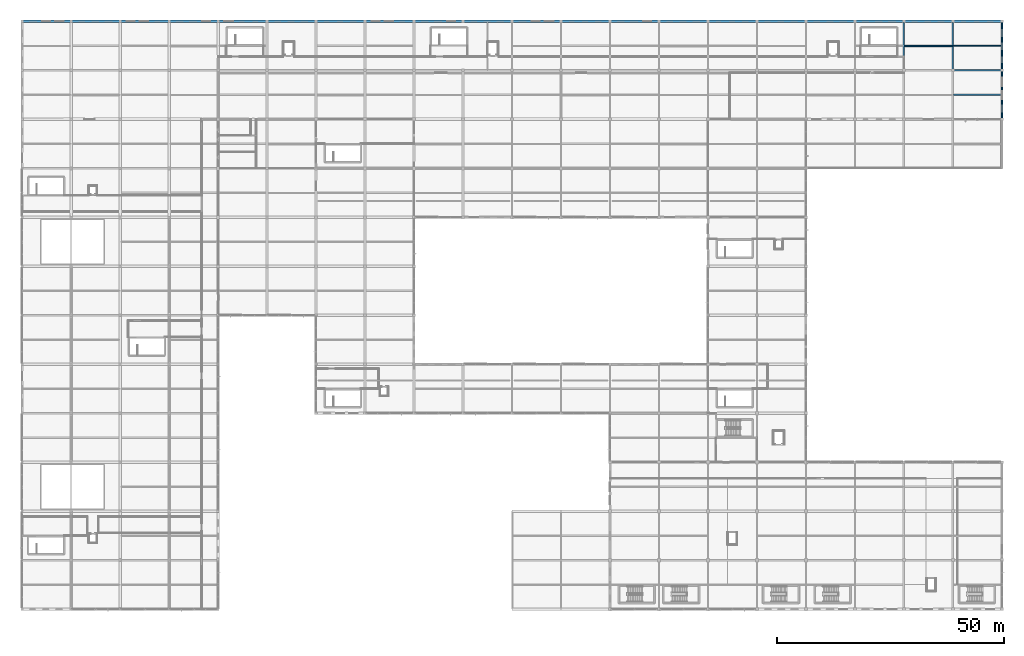
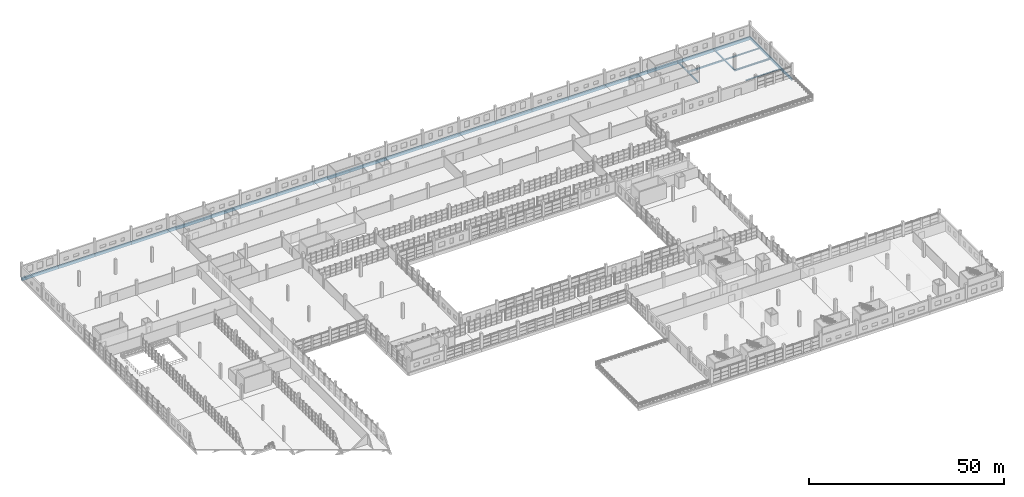
# One storey, part 79 of 142: 28 beams.
"""IFC4 building model written with IfcOpenShell, lengths in metres."""

from ifc_helpers import new_model, si_unit, direction, frame, origin, origin_2d, place, context, subcontext, project, spatial, rectangle, i_section, extrude, material, material_profile, profile_set, type_object, element, save


model = new_model("IFC4")

# Units and contexts
model_context = context("Model", 3, precision=1e-05, world=origin(), true_north=direction((0.0, 1.0)))
body_context = subcontext(model_context, "Body", "Model", "MODEL_VIEW")
ifc_project = project(units=[si_unit("LENGTHUNIT", "METRE"), si_unit("AREAUNIT", "SQUARE_METRE"), si_unit("VOLUMEUNIT", "CUBIC_METRE"), si_unit("PLANEANGLEUNIT", "RADIAN"), si_unit("MASSUNIT", "GRAM", prefix="KILO")], contexts=[model_context])

# Site, building, storey
site_placement = place(None, origin())
site = spatial("IfcSite", under=ifc_project, at=site_placement, CompositionType="ELEMENT")
building_placement = place(site_placement, origin())
building = spatial("IfcBuilding", under=site, at=building_placement, Name="Zwinboog Wholesale Market", CompositionType="ELEMENT")
storey_placement = place(building_placement, frame((0.0, 0.0, 5.39990234375)))
storey = spatial("IfcBuildingStorey", under=building, at=storey_placement, Name="L01", CompositionType="ELEMENT", Elevation=5.39990234375)

# Beams
ifc_material_1 = material(Name="Precast concrete C45/55", Category="concrete")
ifc_material_profile_1 = material_profile(ifc_material_1, rectangle(XDim=0.5, YDim=0.85009765625, at=origin_2d()), Name="PC 500x850")
ifc_profile_set_1 = profile_set([ifc_material_profile_1], Name="Precast concrete C45/55")
beam_type_1 = type_object("IfcBeamType", Name="BT-03", PredefinedType="BEAM", material=ifc_profile_set_1)
for number, where, z_axis, x_axis, name in (
    (1, (0.0, 129.60009765625, -0.679931640625), (1.0, 0.0, 0.0), (0.0, 1.0, 0.0), "BG-03 (BMG-L01-0000-1296-0581)"),
    (2, (10.800048828125, 129.60009765625, -0.679931640625), (1.0, 0.0, 0.0), (0.0, 1.0, 0.0), "BG-03 (BMG-L01-0108-1296-0582)"),
):
    element("IfcBeam", number, at=place(storey_placement, frame(where, z_axis=z_axis, x_axis=x_axis)), inside=storey, type_object=beam_type_1, Name=name, PredefinedType="BEAM", context=body_context, shape_type="SweptSolid", body=[
        extrude(rectangle(XDim=0.5, YDim=0.85009765625, at=origin_2d()), origin(), (0.0, 0.0, 1.0), 10.800048828125),
    ])
beam_1_placement = place(storey_placement, frame((21.60009765625, 129.60009765625, -0.679931640625), z_axis=(1.0, 0.0, 0.0), x_axis=(0.0, 1.0, 0.0)))
element("IfcBeam", 3, at=beam_1_placement, inside=storey, type_object=beam_type_1, Name="BG-03 (BMG-L01-0216-1296-0583)", PredefinedType="BEAM", context=body_context, shape_type="SweptSolid", body=[
    extrude(rectangle(XDim=0.5, YDim=0.85009765625, at=origin_2d()), origin(), (0.0, 0.0, 1.0), 10.7998046875),
])
for number, where, z_axis, x_axis, name in (
    (4, (32.39990234375, 129.60009765625, -0.704833984375), (1.0, 0.0, 0.0), (0.0, 1.0, 0.0), "BG-03 (BMG-L01-0324-1296-0584)"),
    (5, (43.199951171875, 129.60009765625, -0.704833984375), (1.0, 0.0, 0.0), (0.0, 1.0, 0.0), "BG-03 (BMG-L01-0432-1296-0585)"),
    (6, (54.0, 129.60009765625, -0.704833984375), (1.0, 0.0, 0.0), (0.0, 1.0, 0.0), "BG-03 (BMG-L01-0540-1296-0586)"),
    (7, (64.800048828125, 129.60009765625, -0.704833984375), (1.0, 0.0, 0.0), (0.0, 1.0, 0.0), "BG-03 (BMG-L01-0648-1296-0587)"),
):
    element("IfcBeam", number, at=place(storey_placement, frame(where, z_axis=z_axis, x_axis=x_axis)), inside=storey, type_object=beam_type_1, Name=name, PredefinedType="BEAM", context=body_context, shape_type="SweptSolid", body=[
        extrude(rectangle(XDim=0.5, YDim=0.85009765625, at=origin_2d()), origin(), (0.0, 0.0, 1.0), 10.800048828125),
    ])
beam_2_placement = place(storey_placement, frame((75.60009765625, 129.60009765625, -0.72998046875), z_axis=(1.0, 0.0, 0.0), x_axis=(0.0, 1.0, 0.0)))
element("IfcBeam", 8, at=beam_2_placement, inside=storey, type_object=beam_type_1, Name="BG-03 (BMG-L01-0756-1296-0588)", PredefinedType="BEAM", context=body_context, shape_type="SweptSolid", body=[
    extrude(rectangle(XDim=0.5, YDim=0.85009765625, at=origin_2d()), origin(), (0.0, 0.0, 1.0), 10.7998046875),
])
for number, where, z_axis, x_axis, name in (
    (9, (86.39990234375, 129.60009765625, -0.72998046875), (1.0, 0.0, 0.0), (0.0, 1.0, 0.0), "BG-03 (BMG-L01-0864-1296-0589)"),
    (10, (97.199951171875, 129.60009765625, -0.72998046875), (1.0, 0.0, 0.0), (0.0, 1.0, 0.0), "BG-03 (BMG-L01-0972-1296-0590)"),
    (11, (108.0, 129.60009765625, -0.72998046875), (1.0, 0.0, 0.0), (0.0, 1.0, 0.0), "BG-03 (BMG-L01-1080-1296-0591)"),
    (12, (118.800048828125, 129.60009765625, -0.7568359375), (1.0, 0.0, 0.0), (0.0, 1.0, 0.0), "BG-03 (BMG-L01-1188-1296-0592)"),
):
    element("IfcBeam", number, at=place(storey_placement, frame(where, z_axis=z_axis, x_axis=x_axis)), inside=storey, type_object=beam_type_1, Name=name, PredefinedType="BEAM", context=body_context, shape_type="SweptSolid", body=[
        extrude(rectangle(XDim=0.5, YDim=0.85009765625, at=origin_2d()), origin(), (0.0, 0.0, 1.0), 10.800048828125),
    ])
beam_3_placement = place(storey_placement, frame((129.60009765625, 129.60009765625, -0.7568359375), z_axis=(1.0, 0.0, 0.0), x_axis=(0.0, 1.0, 0.0)))
element("IfcBeam", 13, at=beam_3_placement, inside=storey, type_object=beam_type_1, Name="BG-03 (BMG-L01-1296-1296-0593)", PredefinedType="BEAM", context=body_context, shape_type="SweptSolid", body=[
    extrude(rectangle(XDim=0.5, YDim=0.85009765625, at=origin_2d()), origin(), (0.0, 0.0, 1.0), 10.7998046875),
])
for number, where, z_axis, x_axis, name in (
    (14, (140.39990234375, 129.60009765625, -0.7568359375), (1.0, 0.0, 0.0), (0.0, 1.0, 0.0), "BG-03 (BMG-L01-1404-1296-0594)"),
    (15, (151.199951171875, 129.60009765625, -0.7568359375), (1.0, 0.0, 0.0), (0.0, 1.0, 0.0), "BG-03 (BMG-L01-1512-1296-0595)"),
    (16, (162.0, 129.60009765625, -0.7568359375), (1.0, 0.0, 0.0), (0.0, 1.0, 0.0), "BG-03 (BMG-L01-1620-1296-0596)"),
    (17, (172.800048828125, 129.60009765625, -0.7568359375), (1.0, 0.0, 0.0), (0.0, 1.0, 0.0), "BG-03 (BMG-L01-1728-1296-0597)"),
):
    element("IfcBeam", number, at=place(storey_placement, frame(where, z_axis=z_axis, x_axis=x_axis)), inside=storey, type_object=beam_type_1, Name=name, PredefinedType="BEAM", context=body_context, shape_type="SweptSolid", body=[
        extrude(rectangle(XDim=0.5, YDim=0.85009765625, at=origin_2d()), origin(), (0.0, 0.0, 1.0), 10.800048828125),
    ])
beam_4_placement = place(storey_placement, frame((183.60009765625, 129.60009765625, -0.679931640625), z_axis=(1.0, 0.0, 0.0), x_axis=(0.0, 1.0, 0.0)))
element("IfcBeam", 18, at=beam_4_placement, inside=storey, type_object=beam_type_1, Name="BG-03 (BMG-L01-1836-1296-0598)", PredefinedType="BEAM", context=body_context, shape_type="SweptSolid", body=[
    extrude(rectangle(XDim=0.5, YDim=0.85009765625, at=origin_2d()), origin(), (0.0, 0.0, 1.0), 10.7998046875),
])
for number, where, z_axis, x_axis, name in (
    (19, (194.39990234375, 129.60009765625, -0.679931640625), (1.0, 0.0, 0.0), (0.0, 1.0, 0.0), "BG-03 (BMG-L01-1944-1296-0599)"),
    (20, (205.199951171875, 129.60009765625, -0.679931640625), (1.0, 0.0, 0.0), (0.0, 1.0, 0.0), "BG-03 (BMG-L01-2052-1296-0600)"),
):
    element("IfcBeam", number, at=place(storey_placement, frame(where, z_axis=z_axis, x_axis=x_axis)), inside=storey, type_object=beam_type_1, Name=name, PredefinedType="BEAM", context=body_context, shape_type="SweptSolid", body=[
        extrude(rectangle(XDim=0.5, YDim=0.85009765625, at=origin_2d()), origin(), (0.0, 0.0, 1.0), 10.800048828125),
    ])
ifc_material_profile_2 = material_profile(ifc_material_1, rectangle(XDim=0.35009765625, YDim=0.699951171875, at=origin_2d()), Name="PC 350x700")
ifc_profile_set_2 = profile_set([ifc_material_profile_2], Name="Precast concrete C45/55")
beam_type_2 = type_object("IfcBeamType", Name="BT-08", PredefinedType="SPANDREL", material=ifc_profile_set_2)
for number, where, z_axis, x_axis, name in (
    (21, (216.0, 108.0, -0.61181640625), (0.0, 1.0, 0.0), (-1.0, 0.0, 0.0), "SP-01 (BMG-L01-2160-1080-0775)"),
    (22, (216.0, 118.800048828125, -0.60498046875), (0.0, 1.0, 0.0), (-1.0, 0.0, 0.0), "SP-01 (BMG-L01-2160-1188-0776)"),
):
    element("IfcBeam", number, at=place(storey_placement, frame(where, z_axis=z_axis, x_axis=x_axis)), inside=storey, type_object=beam_type_2, Name=name, PredefinedType="SPANDREL", context=body_context, shape_type="SweptSolid", body=[
        extrude(rectangle(XDim=0.35009765625, YDim=0.699951171875, at=origin_2d()), origin(), (0.0, 0.0, 1.0), 10.800048828125),
    ])
ifc_material_profile_3 = material_profile(ifc_material_1, rectangle(XDim=0.300048828125, YDim=0.5, at=origin_2d()), Name="PC 300x500")
ifc_profile_set_3 = profile_set([ifc_material_profile_3], Name="Precast concrete C45/55")
beam_type_3 = type_object("IfcBeamType", Name="BT-10", PredefinedType="JOIST", material=ifc_profile_set_3)
beam_5_placement = place(storey_placement, frame((194.550048828125, 124.199951171875, -0.5048828125), z_axis=(1.0, 0.0, 0.0), x_axis=(0.0, 1.0, 0.0)))
element("IfcBeam", 23, at=beam_5_placement, inside=storey, type_object=beam_type_3, Name="BJ-01 (BMG-L01-1946-1242-0889)", PredefinedType="JOIST", context=body_context, shape_type="SweptSolid", body=[
    extrude(rectangle(XDim=0.300048828125, YDim=0.5, at=origin_2d()), origin(), (0.0, 0.0, 1.0), 10.5),
])
ifc_material_2 = material(Name="Steel S355", Category="steel")
ifc_material_profile_4 = material_profile(ifc_material_2, i_section(OverallWidth=0.300048828125, OverallDepth=0.5, WebThickness=0.014404296875, FlangeThickness=0.028076171875, FilletRadius=0.027099609375, at=origin_2d()), Name="HEB 500")
ifc_profile_set_4 = profile_set([ifc_material_profile_4], Name="Steel S355")
beam_type_4 = type_object("IfcBeamType", Name="BT-14", PredefinedType="BEAM", material=ifc_profile_set_4)
beam_6_placement = place(storey_placement, frame((205.199951171875, 118.800048828125, -0.5048828125), z_axis=(1.0, 0.0, 0.0), x_axis=(0.0, 1.0, 0.0)))
element("IfcBeam", 24, at=beam_6_placement, inside=storey, type_object=beam_type_4, Name="SB-01 (BMG-L01-2052-1188-0580)", PredefinedType="BEAM", context=body_context, shape_type="SweptSolid", body=[
    extrude(i_section(OverallWidth=0.300048828125, OverallDepth=0.5, WebThickness=0.014404296875, FlangeThickness=0.028076171875, FilletRadius=0.027099609375, at=origin_2d()), origin(), (0.0, 0.0, 1.0), 10.800048828125),
])
ifc_material_profile_5 = material_profile(ifc_material_2, i_section(OverallWidth=0.300048828125, OverallDepth=0.35009765625, WebThickness=0.010009765625, FlangeThickness=0.017578125, FilletRadius=0.027099609375, at=origin_2d()), Name="HEA 360")
ifc_profile_set_5 = profile_set([ifc_material_profile_5], Name="Steel S355")
beam_type_5 = type_object("IfcBeamType", Name="BT-17", PredefinedType="BEAM", material=ifc_profile_set_5)
for number, where, z_axis, x_axis, name in (
    (25, (194.39990234375, 118.800048828125, -0.429931640625), (0.0, 1.0, 0.0), (-1.0, 0.0, 0.0), "SB-04 (BMG-L01-1944-1188-0766)"),
    (26, (205.199951171875, 118.800048828125, -0.429931640625), (0.0, 1.0, 0.0), (-1.0, 0.0, 0.0), "SB-04 (BMG-L01-2052-1188-0771)"),
):
    element("IfcBeam", number, at=place(storey_placement, frame(where, z_axis=z_axis, x_axis=x_axis)), inside=storey, type_object=beam_type_5, Name=name, PredefinedType="BEAM", context=body_context, shape_type="SweptSolid", body=[
        extrude(i_section(OverallWidth=0.300048828125, OverallDepth=0.35009765625, WebThickness=0.010009765625, FlangeThickness=0.017578125, FilletRadius=0.027099609375, at=origin_2d()), origin(), (0.0, 0.0, 1.0), 10.800048828125),
    ])
ifc_material_profile_6 = material_profile(ifc_material_2, i_section(OverallWidth=0.300048828125, OverallDepth=0.2900390625, WebThickness=0.008544921875, FlangeThickness=0.013916015625, FilletRadius=0.027099609375, at=origin_2d()), Name="HEA 300")
ifc_profile_set_6 = profile_set([ifc_material_profile_6], Name="Steel S355")
beam_type_6 = type_object("IfcBeamType", Name="BT-18", PredefinedType="JOIST", material=ifc_profile_set_6)
beam_7_placement = place(storey_placement, frame((205.35009765625, 113.39990234375, -0.39990234375), z_axis=(1.0, 0.0, 0.0), x_axis=(0.0, 1.0, 0.0)))
element("IfcBeam", 27, at=beam_7_placement, inside=storey, type_object=beam_type_6, Name="SJ-01 (BMG-L01-2054-1134-0890)", PredefinedType="JOIST", context=body_context, shape_type="SweptSolid", body=[
    extrude(i_section(OverallWidth=0.300048828125, OverallDepth=0.2900390625, WebThickness=0.008544921875, FlangeThickness=0.013916015625, FilletRadius=0.027099609375, at=origin_2d()), origin(), (0.0, 0.0, 1.0), 10.474853515625),
])
ifc_material_profile_7 = material_profile(ifc_material_2, i_section(OverallWidth=0.18994140625, OverallDepth=0.449951171875, WebThickness=0.009521484375, FlangeThickness=0.0146484375, FilletRadius=0.02099609375, at=origin_2d()), Name="IPE 450")
ifc_profile_set_7 = profile_set([ifc_material_profile_7], Name="Steel S355")
beam_type_7 = type_object("IfcBeamType", Name="BT-19", PredefinedType="JOIST", material=ifc_profile_set_7)
beam_8_placement = place(storey_placement, frame((205.35009765625, 124.199951171875, -0.47998046875), z_axis=(1.0, 0.0, 0.0), x_axis=(0.0, 1.0, 0.0)))
element("IfcBeam", 28, at=beam_8_placement, inside=storey, type_object=beam_type_7, Name="SJ-02 (BMG-L01-2054-1242-0891)", PredefinedType="JOIST", context=body_context, shape_type="SweptSolid", body=[
    extrude(i_section(OverallWidth=0.18994140625, OverallDepth=0.449951171875, WebThickness=0.009521484375, FlangeThickness=0.0146484375, FilletRadius=0.02099609375, at=origin_2d()), origin(), (0.0, 0.0, 1.0), 10.474853515625),
])

save(model, "model.ifc")
